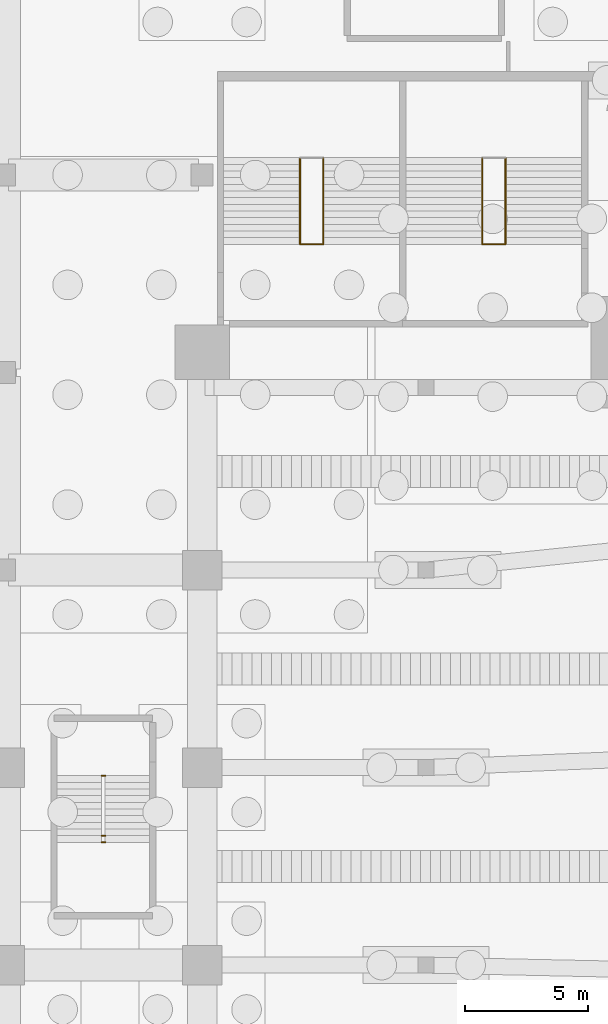
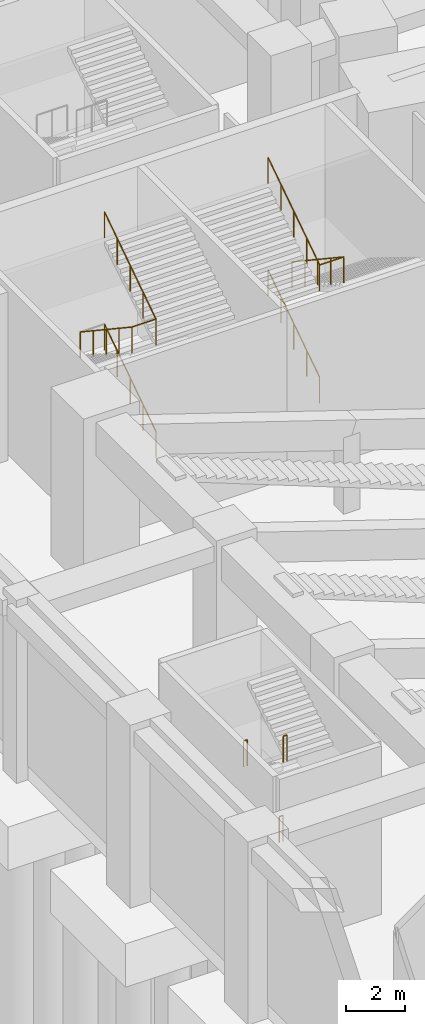
# One storey, part 22 of 30: 11 railings.
"""IFC4 building model written with IfcOpenShell, lengths in metres."""

from ifc_helpers import new_model, si_unit, direction, frame, origin, origin_2d, place, context, subcontext, project, spatial, circle, extrude, material, type_object, element, save


model = new_model("IFC4")

# Units and contexts
model_context = context("Model", 3, precision=1e-05, world=origin(), true_north=direction((0.0, 1.0)))
body_context = subcontext(model_context, "Body", "Model", "MODEL_VIEW")
ifc_project = project(units=[si_unit("LENGTHUNIT", "METRE"), si_unit("AREAUNIT", "SQUARE_METRE"), si_unit("VOLUMEUNIT", "CUBIC_METRE"), si_unit("PLANEANGLEUNIT", "RADIAN"), si_unit("MASSUNIT", "GRAM", prefix="KILO")], contexts=[model_context])

# Site, building, storey
site_placement = place(None, origin())
site = spatial("IfcSite", under=ifc_project, at=site_placement, CompositionType="ELEMENT")
building_placement = place(site_placement, origin())
building = spatial("IfcBuilding", under=site, at=building_placement, Name="Isbrekke Arena Tower", CompositionType="ELEMENT")
storey_placement = place(building_placement, frame((0.0, 0.0, -7.0)))
storey = spatial("IfcBuildingStorey", under=building, at=storey_placement, Name="B1", CompositionType="ELEMENT", Elevation=-7.0)

# Railings
ifc_material = material(Name="Steel stair guard, vertical bars, steel handrail", Category="steel")
railing_type = type_object("IfcRailingType", Name="GR3 STAIR WELL GUARD 1100", PredefinedType="GUARDRAIL", material=ifc_material)
railing_1_placement = place(storey_placement, frame((-36.659912109375, -12.804931640625, 4.666748046875)))
element("IfcRailing", 1, at=railing_1_placement, inside=storey, type_object=railing_type, Name="GR3 stair guard X3 landing 2", PredefinedType="GUARDRAIL", context=body_context, shape_type="SweptSolid", body=[
    extrude(circle(Radius=0.02392578125, at=origin_2d()), frame((0.0, 0.0, 1.076171875), z_axis=(1.0, 0.0, 0.0), x_axis=(0.0, 1.0, 0.0)), (0.0, 0.0, 1.0), 0.94482421875),
    extrude(circle(Radius=0.02099609375, at=origin_2d()), origin(), (0.0, 0.0, 1.0), 1.052001953125),
    extrude(circle(Radius=0.02099609375, at=origin_2d()), frame((0.94482421875, 0.0, 0.0)), (0.0, 0.0, 1.0), 1.052001953125),
])
railing_2_placement = place(storey_placement, frame((-36.659912109375, -12.804931640625, 0.0)))
element("IfcRailing", 2, at=railing_2_placement, inside=storey, type_object=railing_type, Name="GR3 stair guard X3 flight 1", PredefinedType="GUARDRAIL", context=body_context, shape_type="SweptSolid", body=[
    extrude(circle(Radius=0.02392578125, at=origin_2d()), frame((0.0, 0.0, 1.076171875), z_axis=(0.0, 0.832789213634, 0.553590214558), x_axis=(-1.0, 0.0, 0.0)), (0.0, 0.0, 1.0), 4.21484375),
    extrude(circle(Radius=0.02099609375, at=origin_2d()), origin(), (0.0, 0.0, 1.0), 1.052001953125),
    extrude(circle(Radius=0.02099609375, at=origin_2d()), frame((0.0, 0.87744140625, 0.583251953125)), (0.0, 0.0, 1.0), 1.052001953125),
    extrude(circle(Radius=0.02099609375, at=origin_2d()), frame((0.0, 1.7548828125, 1.16650390625)), (0.0, 0.0, 1.0), 1.052001953125),
    extrude(circle(Radius=0.02099609375, at=origin_2d()), frame((0.0, 2.632568359375, 1.75)), (0.0, 0.0, 1.0), 1.052001953125),
    extrude(circle(Radius=0.02099609375, at=origin_2d()), frame((0.0, 3.510009765625, 2.333251953125)), (0.0, 0.0, 1.0), 1.052001953125),
])
railing_3_placement = place(storey_placement, frame((-35.715087890625, -9.294921875, 2.333251953125)))
element("IfcRailing", 3, at=railing_3_placement, inside=storey, type_object=railing_type, Name="GR3 stair guard X3 flight 2", PredefinedType="GUARDRAIL", context=body_context, shape_type="SweptSolid", body=[
    extrude(circle(Radius=0.02392578125, at=origin_2d()), frame((0.0, 0.0, 1.076171875), z_axis=(0.0, -0.832762508661, 0.553630385879), x_axis=(1.0, 0.0, 0.0)), (0.0, 0.0, 1.0), 4.21484375),
    extrude(circle(Radius=0.02099609375, at=origin_2d()), origin(), (0.0, 0.0, 1.0), 1.052001953125),
    extrude(circle(Radius=0.02099609375, at=origin_2d()), frame((0.0, -0.87744140625, 0.58349609375)), (0.0, 0.0, 1.0), 1.052001953125),
    extrude(circle(Radius=0.02099609375, at=origin_2d()), frame((0.0, -1.7548828125, 1.166748046875)), (0.0, 0.0, 1.0), 1.052001953125),
    extrude(circle(Radius=0.02099609375, at=origin_2d()), frame((0.0, -2.632568359375, 1.75)), (0.0, 0.0, 1.0), 1.052001953125),
    extrude(circle(Radius=0.02099609375, at=origin_2d()), frame((0.0, -3.510009765625, 2.33349609375)), (0.0, 0.0, 1.0), 1.052001953125),
])
railing_4_placement = place(storey_placement, frame((-36.659912109375, -12.804931640625, 4.666748046875)))
element("IfcRailing", 4, at=railing_4_placement, inside=storey, type_object=railing_type, Name="GR3 stair guard X3 flight 3", PredefinedType="GUARDRAIL", context=body_context, shape_type="SweptSolid", body=[
    extrude(circle(Radius=0.02392578125, at=origin_2d()), frame((0.0, 0.0, 1.076171875), z_axis=(0.0, 0.832789213634, 0.553590214558), x_axis=(-1.0, 0.0, 0.0)), (0.0, 0.0, 1.0), 4.21484375),
    extrude(circle(Radius=0.02099609375, at=origin_2d()), origin(), (0.0, 0.0, 1.0), 1.052001953125),
    extrude(circle(Radius=0.02099609375, at=origin_2d()), frame((0.0, 0.87744140625, 0.583251953125)), (0.0, 0.0, 1.0), 1.052001953125),
    extrude(circle(Radius=0.02099609375, at=origin_2d()), frame((0.0, 1.7548828125, 1.16650390625)), (0.0, 0.0, 1.0), 1.052001953125),
    extrude(circle(Radius=0.02099609375, at=origin_2d()), frame((0.0, 2.632568359375, 1.75)), (0.0, 0.0, 1.0), 1.052001953125),
    extrude(circle(Radius=0.02099609375, at=origin_2d()), frame((0.0, 3.510009765625, 2.333251953125)), (0.0, 0.0, 1.0), 1.052001953125),
])
railing_5_placement = place(storey_placement, frame((-44.034912109375, -12.804931640625, 4.666748046875)))
element("IfcRailing", 5, at=railing_5_placement, inside=storey, type_object=railing_type, Name="GR3 stair guard X4 landing 2", PredefinedType="GUARDRAIL", context=body_context, shape_type="SweptSolid", body=[
    extrude(circle(Radius=0.02392578125, at=origin_2d()), frame((0.0, 0.0, 1.076171875), z_axis=(1.0, 0.0, 0.0), x_axis=(0.0, 1.0, 0.0)), (0.0, 0.0, 1.0), 0.94482421875),
    extrude(circle(Radius=0.02099609375, at=origin_2d()), origin(), (0.0, 0.0, 1.0), 1.052001953125),
    extrude(circle(Radius=0.02099609375, at=origin_2d()), frame((0.94482421875, 0.0, 0.0)), (0.0, 0.0, 1.0), 1.052001953125),
])
railing_6_placement = place(storey_placement, frame((-43.090087890625, -12.804931640625, 0.0)))
element("IfcRailing", 6, at=railing_6_placement, inside=storey, type_object=railing_type, Name="GR3 stair guard X4 flight 1", PredefinedType="GUARDRAIL", context=body_context, shape_type="SweptSolid", body=[
    extrude(circle(Radius=0.02392578125, at=origin_2d()), frame((0.0, 0.0, 1.076171875), z_axis=(0.0, 0.832789213634, 0.553590214558), x_axis=(-1.0, 0.0, 0.0)), (0.0, 0.0, 1.0), 4.21484375),
    extrude(circle(Radius=0.02099609375, at=origin_2d()), origin(), (0.0, 0.0, 1.0), 1.052001953125),
    extrude(circle(Radius=0.02099609375, at=origin_2d()), frame((0.0, 0.87744140625, 0.583251953125)), (0.0, 0.0, 1.0), 1.052001953125),
    extrude(circle(Radius=0.02099609375, at=origin_2d()), frame((0.0, 1.7548828125, 1.16650390625)), (0.0, 0.0, 1.0), 1.052001953125),
    extrude(circle(Radius=0.02099609375, at=origin_2d()), frame((0.0, 2.632568359375, 1.75)), (0.0, 0.0, 1.0), 1.052001953125),
    extrude(circle(Radius=0.02099609375, at=origin_2d()), frame((0.0, 3.510009765625, 2.333251953125)), (0.0, 0.0, 1.0), 1.052001953125),
])
railing_7_placement = place(storey_placement, frame((-44.034912109375, -9.294921875, 2.333251953125)))
element("IfcRailing", 7, at=railing_7_placement, inside=storey, type_object=railing_type, Name="GR3 stair guard X4 flight 2", PredefinedType="GUARDRAIL", context=body_context, shape_type="SweptSolid", body=[
    extrude(circle(Radius=0.02392578125, at=origin_2d()), frame((0.0, 0.0, 1.076171875), z_axis=(0.0, -0.832762508661, 0.553630385879), x_axis=(1.0, 0.0, 0.0)), (0.0, 0.0, 1.0), 4.21484375),
    extrude(circle(Radius=0.02099609375, at=origin_2d()), origin(), (0.0, 0.0, 1.0), 1.052001953125),
    extrude(circle(Radius=0.02099609375, at=origin_2d()), frame((0.0, -0.87744140625, 0.58349609375)), (0.0, 0.0, 1.0), 1.052001953125),
    extrude(circle(Radius=0.02099609375, at=origin_2d()), frame((0.0, -1.7548828125, 1.166748046875)), (0.0, 0.0, 1.0), 1.052001953125),
    extrude(circle(Radius=0.02099609375, at=origin_2d()), frame((0.0, -2.632568359375, 1.75)), (0.0, 0.0, 1.0), 1.052001953125),
    extrude(circle(Radius=0.02099609375, at=origin_2d()), frame((0.0, -3.510009765625, 2.33349609375)), (0.0, 0.0, 1.0), 1.052001953125),
])
railing_8_placement = place(storey_placement, frame((-43.090087890625, -12.804931640625, 4.666748046875)))
element("IfcRailing", 8, at=railing_8_placement, inside=storey, type_object=railing_type, Name="GR3 stair guard X4 flight 3", PredefinedType="GUARDRAIL", context=body_context, shape_type="SweptSolid", body=[
    extrude(circle(Radius=0.02392578125, at=origin_2d()), frame((0.0, 0.0, 1.076171875), z_axis=(0.0, 0.832789213634, 0.553590214558), x_axis=(-1.0, 0.0, 0.0)), (0.0, 0.0, 1.0), 4.21484375),
    extrude(circle(Radius=0.02099609375, at=origin_2d()), origin(), (0.0, 0.0, 1.0), 1.052001953125),
    extrude(circle(Radius=0.02099609375, at=origin_2d()), frame((0.0, 0.87744140625, 0.583251953125)), (0.0, 0.0, 1.0), 1.052001953125),
    extrude(circle(Radius=0.02099609375, at=origin_2d()), frame((0.0, 1.7548828125, 1.16650390625)), (0.0, 0.0, 1.0), 1.052001953125),
    extrude(circle(Radius=0.02099609375, at=origin_2d()), frame((0.0, 2.632568359375, 1.75)), (0.0, 0.0, 1.0), 1.052001953125),
    extrude(circle(Radius=0.02099609375, at=origin_2d()), frame((0.0, 3.510009765625, 2.333251953125)), (0.0, 0.0, 1.0), 1.052001953125),
])
for number, where, name in (
    (9, (-52.074951171875, -36.7548828125, 1.666748046875), "GR3 stair well guard P4 B1"),
    (10, (-52.074951171875, -34.324951171875, 3.333251953125), "GR3 stair well guard P4 B1"),
    (11, (-52.074951171875, -37.02490234375, 5.166748046875), "GR3 stair well guard P4 B1"),
):
    element("IfcRailing", number, at=place(storey_placement, frame(where)), inside=storey, type_object=railing_type, Name=name, PredefinedType="GUARDRAIL", context=body_context, shape_type="SweptSolid", body=[
        extrude(circle(Radius=0.02392578125, at=origin_2d()), frame((0.0, 0.0, 1.076171875), z_axis=(1.0, 0.0, 0.0), x_axis=(0.0, 1.0, 0.0)), (0.0, 0.0, 1.0), 0.14990234375),
        extrude(circle(Radius=0.02099609375, at=origin_2d()), origin(), (0.0, 0.0, 1.0), 1.052001953125),
        extrude(circle(Radius=0.02099609375, at=origin_2d()), frame((0.14990234375, 0.0, 0.0)), (0.0, 0.0, 1.0), 1.052001953125),
    ])

save(model, "model.ifc")
